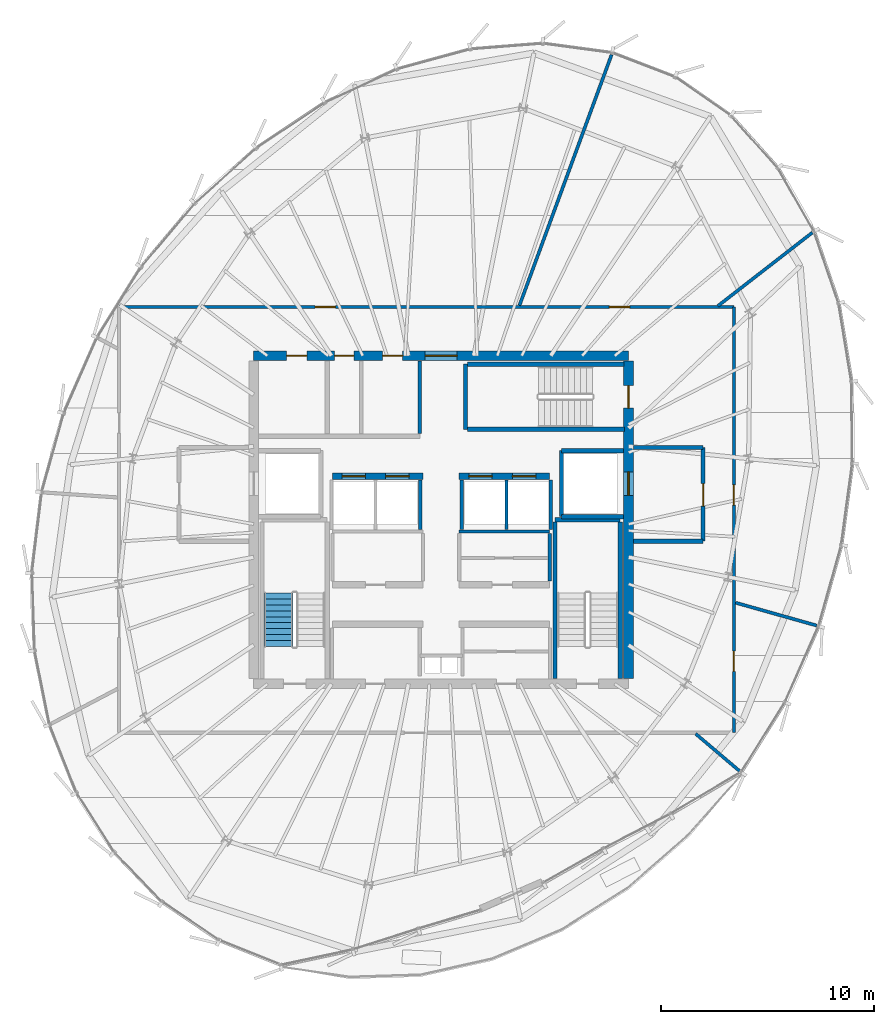
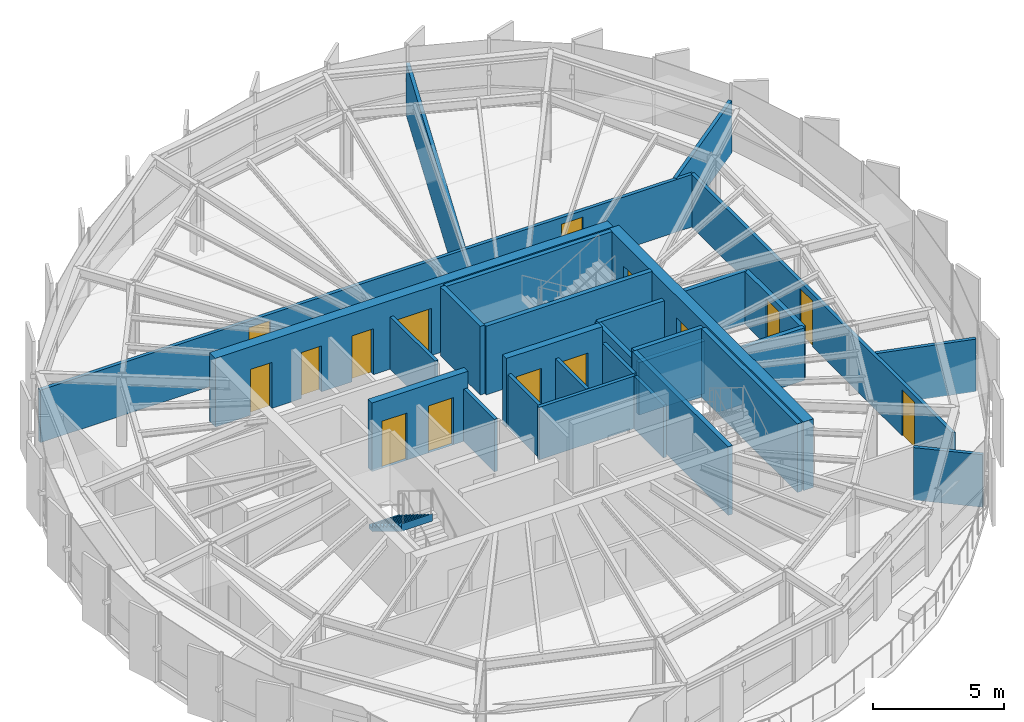
# One storey, part 26 of 31: 29 walls, 15 doors, 1 stair flight, 15 openings, 1 element without a shape of its own.
"""IFC4 building model written with IfcOpenShell, lengths in metres."""

from ifc_helpers import new_model, si_unit, direction, frame, frame_2d, origin, place, context, subcontext, project, spatial, polyline, rectangle, outline, extrude, source, transform, mapped, material, layer, layer_set, type_object, element, fill, aggregate, save


model = new_model("IFC4")

# Units and contexts
model_context = context("Model", 3, precision=1e-05, world=origin(), true_north=direction((0.0, 1.0)))
body_context = subcontext(model_context, "Body", "Model", "MODEL_VIEW")
ifc_project = project(units=[si_unit("LENGTHUNIT", "METRE"), si_unit("AREAUNIT", "SQUARE_METRE"), si_unit("VOLUMEUNIT", "CUBIC_METRE"), si_unit("PLANEANGLEUNIT", "RADIAN"), si_unit("MASSUNIT", "GRAM", prefix="KILO"), si_unit("THERMODYNAMICTEMPERATUREUNIT", "KELVIN")], contexts=[model_context])

# Site, building, storey
site_placement = place(None, origin())
site = spatial("IfcSite", under=ifc_project, at=site_placement, CompositionType="ELEMENT")
building_placement = place(site_placement, origin())
building = spatial("IfcBuilding", under=site, at=building_placement, Name="Kethvar Cultural Tower", CompositionType="ELEMENT")
storey_placement = place(building_placement, frame((0.0, 0.0, 283.60009765625)))
storey = spatial("IfcBuildingStorey", under=building, at=storey_placement, Name="L75", CompositionType="ELEMENT", Elevation=283.60009765625)

# Wall, openings, doors
ifc_material_1 = material(Name="Concrete C50/60", Category="concrete")
ifc_layer_1 = layer(ifc_material_1, 0.449951171875, Name="Concrete C50/60", Category="concrete")
ifc_layer_set_1 = layer_set([ifc_layer_1], Name="Concrete C50/60 (450 mm)")
wall_type_1 = type_object("IfcWallType", Name="WL-CORE-450", PredefinedType="SHEAR", material=ifc_layer_set_1)
wall_1_placement = place(storey_placement, frame((55.60009765625, 35.5, 0.0), z_axis=(0.0, 0.0, 1.0), x_axis=(-1.0, 0.0, 0.0)))
wall_1 = element("IfcWall", 1, at=wall_1_placement, inside=storey, type_object=wall_type_1, Name="L75 Core Shear Wall N", PredefinedType="SHEAR", context=body_context, shape_type="SweptSolid", body=[
    extrude(rectangle(XDim=17.60009765625, YDim=0.449951171875, at=frame_2d((8.800048828125, 0.0))), origin(), (0.0, 0.0, 1.0), 3.2099609375),
])
opening_1_placement = place(wall_1_placement, frame((8.050048828125, 0.0, 0.0)))
opening_1 = element("IfcOpeningElement", 2, at=opening_1_placement, cuts=wall_1, Name="Opening D-L75-LN", PredefinedType="OPENING", context=body_context, shape_type="SweptSolid", body=[
    extrude(rectangle(XDim=1.5, YDim=2.199951171875, at=frame_2d((0.75, 1.10009765625))), frame((0.0, 0.23486328125, 0.0), z_axis=(0.0, -1.0, 0.0), x_axis=(1.0, 0.0, 0.0)), (0.0, 0.0, 1.0), 0.469970703125),
])
opening_2_placement = place(wall_1_placement, frame((15.10009765625, 0.0, 0.0)))
opening_2 = element("IfcOpeningElement", 3, at=opening_2_placement, cuts=wall_1, Name="Opening D-L75-E1", PredefinedType="OPENING", context=body_context, shape_type="SweptSolid", body=[
    extrude(rectangle(XDim=0.949951171875, YDim=2.14990234375, at=frame_2d((0.47509765625, 1.074951171875))), frame((0.0, 0.23486328125, 0.0), z_axis=(0.0, -1.0, 0.0), x_axis=(1.0, 0.0, 0.0)), (0.0, 0.0, 1.0), 0.469970703125),
])
opening_3_placement = place(wall_1_placement, frame((12.89990234375, 0.0, 0.0)))
opening_3 = element("IfcOpeningElement", 4, at=opening_3_placement, cuts=wall_1, Name="Opening D-L75-W1", PredefinedType="OPENING", context=body_context, shape_type="SweptSolid", body=[
    extrude(rectangle(XDim=0.89990234375, YDim=2.14990234375, at=frame_2d((0.449951171875, 1.074951171875))), frame((0.0, 0.23486328125, 0.0), z_axis=(0.0, -1.0, 0.0), x_axis=(1.0, 0.0, 0.0)), (0.0, 0.0, 1.0), 0.469970703125),
])
opening_4_placement = place(wall_1_placement, frame((10.60009765625, 0.0, 0.0)))
opening_4 = element("IfcOpeningElement", 5, at=opening_4_placement, cuts=wall_1, Name="Opening D-L75-W2", PredefinedType="OPENING", context=body_context, shape_type="SweptSolid", body=[
    extrude(rectangle(XDim=0.949951171875, YDim=2.14990234375, at=frame_2d((0.47509765625, 1.074951171875))), frame((0.0, 0.23486328125, 0.0), z_axis=(0.0, -1.0, 0.0), x_axis=(1.0, 0.0, 0.0)), (0.0, 0.0, 1.0), 0.469970703125),
])
ifc_material_2 = material(Name="Architectural Oak Timber", Category="wood")
door_type_1 = type_object("IfcDoorType", Name="DR-DBL-FD60-1500", OperationType="DOUBLE_DOOR_SINGLE_SWING", PredefinedType="DOOR", material=ifc_material_2)
shared_shape_1 = source(origin(), body_context, "Body", "SweptSolid", [
    extrude(rectangle(XDim=1.5, YDim=2.199951171875, at=frame_2d((0.75, 1.10009765625))), frame((0.0, 0.02490234375, 0.0), z_axis=(0.0, -1.0, 0.0), x_axis=(1.0, 0.0, 0.0)), (0.0, 0.0, 1.0), 0.050048828125),
])
door_1_placement = place(opening_1_placement, origin())
door_1 = element("IfcDoor", 6, at=door_1_placement, inside=storey, type_object=door_type_1, Name="L75 Lift Lobby Concourse Door", OperationType="DOUBLE_DOOR_SINGLE_SWING", OverallHeight=2.199951171875, OverallWidth=1.5, PredefinedType="DOOR", context=body_context, shape_type="MappedRepresentation", body=[
    mapped(shared_shape_1, transform((0.0, 0.0, 0.0), scale=1.0)),
])
fill(opening_1, door_1)
door_type_2 = type_object("IfcDoorType", Name="DR-FD30-950", OperationType="NOTDEFINED", PredefinedType="DOOR", material=ifc_material_2)
shared_shape_2 = source(origin(), body_context, "Body", "SweptSolid", [
    extrude(rectangle(XDim=0.949951171875, YDim=2.14990234375, at=frame_2d((0.47509765625, 1.074951171875))), frame((0.0, 0.02490234375, 0.0), z_axis=(0.0, -1.0, 0.0), x_axis=(1.0, 0.0, 0.0)), (0.0, 0.0, 1.0), 0.050048828125),
])
door_2_placement = place(opening_2_placement, origin())
door_2 = element("IfcDoor", 7, at=door_2_placement, inside=storey, type_object=door_type_2, Name="L75 Electrical Switchgear Door", OperationType="SINGLE_SWING_RIGHT", OverallHeight=2.14990234375, OverallWidth=0.949951171875, PredefinedType="DOOR", context=body_context, shape_type="MappedRepresentation", body=[
    mapped(shared_shape_2, transform((0.0, 0.0, 0.0), scale=1.0)),
])
fill(opening_2, door_2)
door_3_placement = place(opening_4_placement, origin())
door_3 = element("IfcDoor", 8, at=door_3_placement, inside=storey, type_object=door_type_2, Name="L75 Public Washroom Door", OperationType="SINGLE_SWING_RIGHT", OverallHeight=2.14990234375, OverallWidth=0.949951171875, PredefinedType="DOOR", context=body_context, shape_type="MappedRepresentation", body=[
    mapped(shared_shape_2, transform((0.0, 0.0, 0.0), scale=1.0)),
])
fill(opening_4, door_3)
door_type_3 = type_object("IfcDoorType", Name="DR-FD30-900", OperationType="NOTDEFINED", PredefinedType="DOOR", material=ifc_material_2)
shared_shape_3 = source(origin(), body_context, "Body", "SweptSolid", [
    extrude(rectangle(XDim=0.89990234375, YDim=2.14990234375, at=frame_2d((0.449951171875, 1.074951171875))), frame((0.0, 0.02490234375, 0.0), z_axis=(0.0, -1.0, 0.0), x_axis=(1.0, 0.0, 0.0)), (0.0, 0.0, 1.0), 0.050048828125),
])
door_4_placement = place(opening_3_placement, origin())
door_4 = element("IfcDoor", 9, at=door_4_placement, inside=storey, type_object=door_type_3, Name="L75 Accessible Washroom Door", OperationType="SINGLE_SWING_LEFT", OverallHeight=2.14990234375, OverallWidth=0.89990234375, PredefinedType="DOOR", context=body_context, shape_type="MappedRepresentation", body=[
    mapped(shared_shape_3, transform((0.0, 0.0, 0.0), scale=1.0)),
])
fill(opening_3, door_4)

wall_2_placement = place(storey_placement, frame((55.60009765625, 20.340087890625, 0.0), z_axis=(0.0, 0.0, 1.0), x_axis=(0.0, 1.0, 0.0)))
wall_2 = element("IfcWall", 10, at=wall_2_placement, inside=storey, type_object=wall_type_1, Name="L75 Core Shear Wall E", PredefinedType="SHEAR", context=body_context, shape_type="SweptSolid", body=[
    extrude(rectangle(XDim=14.919921875, YDim=0.449951171875, at=frame_2d((7.4599609375, 0.0))), origin(), (0.0, 0.0, 1.0), 3.2099609375),
])
opening_5_placement = place(wall_2_placement, frame((12.7099609375, 0.0, 0.0)))
opening_5 = element("IfcOpeningElement", 11, at=opening_5_placement, cuts=wall_2, Name="Opening D-L75-S3", PredefinedType="OPENING", context=body_context, shape_type="SweptSolid", body=[
    extrude(rectangle(XDim=1.050048828125, YDim=2.14990234375, at=frame_2d((0.52490234375, 1.074951171875))), frame((0.0, 0.23486328125, 0.0), z_axis=(0.0, -1.0, 0.0), x_axis=(1.0, 0.0, 0.0)), (0.0, 0.0, 1.0), 0.469970703125),
])
opening_6_placement = place(wall_2_placement, frame((8.610107421875, 0.0, 0.0)))
opening_6 = element("IfcOpeningElement", 12, at=opening_6_placement, cuts=wall_2, Name="Opening LD-2", PredefinedType="OPENING", context=body_context, shape_type="SweptSolid", body=[
    extrude(rectangle(XDim=1.10009765625, YDim=2.199951171875, at=frame_2d((0.550048828125, 1.10009765625))), frame((0.0, 0.23486328125, 0.0), z_axis=(0.0, -1.0, 0.0), x_axis=(1.0, 0.0, 0.0)), (0.0, 0.0, 1.0), 0.469970703125),
])
ifc_material_3 = material(Name="Steel S355J2", Category="steel")
door_type_4 = type_object("IfcDoorType", Name="DR-FD60-1050", OperationType="NOTDEFINED", PredefinedType="DOOR", material=ifc_material_3)
shared_shape_4 = source(origin(), body_context, "Body", "SweptSolid", [
    extrude(rectangle(XDim=1.050048828125, YDim=2.14990234375, at=frame_2d((0.52490234375, 1.074951171875))), frame((0.0, 0.02490234375, 0.0), z_axis=(0.0, -1.0, 0.0), x_axis=(1.0, 0.0, 0.0)), (0.0, 0.0, 1.0), 0.050048828125),
])
door_5_placement = place(opening_5_placement, origin())
door_5 = element("IfcDoor", 13, at=door_5_placement, inside=storey, type_object=door_type_4, Name="L75 Exit Stair 3 Door", OperationType="SINGLE_SWING_LEFT", OverallHeight=2.14990234375, OverallWidth=1.050048828125, PredefinedType="DOOR", context=body_context, shape_type="MappedRepresentation", body=[
    mapped(shared_shape_4, transform((0.0, 0.0, 0.0), scale=1.0)),
])
fill(opening_5, door_5)
door_type_5 = type_object("IfcDoorType", Name="DR-LIFT-SLIDE-1100", OperationType="NOTDEFINED", PredefinedType="DOOR", material=ifc_material_3)
shared_shape_5 = source(origin(), body_context, "Body", "SweptSolid", [
    extrude(rectangle(XDim=1.10009765625, YDim=2.199951171875, at=frame_2d((0.550048828125, 1.10009765625))), frame((0.0, 0.02490234375, 0.0), z_axis=(0.0, -1.0, 0.0), x_axis=(1.0, 0.0, 0.0)), (0.0, 0.0, 1.0), 0.050048828125),
])
door_6_placement = place(opening_6_placement, origin())
door_6 = element("IfcDoor", 14, at=door_6_placement, inside=storey, type_object=door_type_5, Name="L75 Firefighting Lift Landing Door FFL-02", OperationType="SLIDING_TO_RIGHT", OverallHeight=2.199951171875, OverallWidth=1.10009765625, PredefinedType="DOOR", context=body_context, shape_type="MappedRepresentation", body=[
    mapped(shared_shape_5, transform((0.0, 0.0, 0.0), scale=1.0)),
])
fill(opening_6, door_6)

# Walls
ifc_material_4 = material(Name="Gypsum Fireboard Partition")
ifc_layer_2 = layer(ifc_material_4, 0.14990234375, Name="Gypsum Fireboard Partition")
ifc_layer_set_2 = layer_set([ifc_layer_2], Name="Gypsum Fireboard Partition (150 mm)")
wall_type_2 = type_object("IfcWallType", Name="WL-FIRE-150", PredefinedType="PARTITIONING", material=ifc_layer_set_2)
wall_3_placement = place(storey_placement, frame((47.64990234375, 27.25, 0.0), z_axis=(0.0, 0.0, 1.0), x_axis=(1.0, 0.0, 0.0)))
element("IfcWall", 15, at=wall_3_placement, inside=storey, type_object=wall_type_2, Name="L75 Reclaimed Mid Wall E", PredefinedType="PARTITIONING", context=body_context, shape_type="SweptSolid", body=[
    extrude(rectangle(XDim=4.25, YDim=0.14990234375, at=frame_2d((2.125, 0.0))), origin(), (0.0, 0.0, 1.0), 2.454833984375),
])
wall_4_placement = place(storey_placement, frame((51.89990234375, 24.919921875, 0.0), z_axis=(0.0, 0.0, 1.0), x_axis=(0.0, 1.0, 0.0)))
element("IfcWall", 16, at=wall_4_placement, inside=storey, type_object=wall_type_2, Name="L75 Reclaimed Mid Outer E", PredefinedType="PARTITIONING", context=body_context, shape_type="SweptSolid", body=[
    extrude(rectangle(XDim=2.239990234375, YDim=0.14990234375, at=frame_2d((1.1201171875, 0.0))), origin(), (0.0, 0.0, 1.0), 2.454833984375),
])
for number, where, z_axis, x_axis, name in (
    (17, (45.824951171875, 27.340087890625, 0.0), (0.0, 0.0, 1.0), (0.0, 1.0, 0.0), "L75 High-Rise Lift Shaft Concourse Wall W"),
    (18, (47.77490234375, 27.340087890625, 0.0), (0.0, 0.0, 1.0), (0.0, 1.0, 0.0), "L75 High-Rise Lift Shaft Concourse Wall E"),
    (19, (49.875, 27.340087890625, 0.0), (0.0, 0.0, 1.0), (0.0, 1.0, 0.0), "L75 High-Rise Lift Shaft Divider E"),
    (20, (51.949951171875, 27.340087890625, 0.0), (0.0, 0.0, 1.0), (0.0, 1.0, 0.0), "L75 High-Rise Lift Shaft Outer Wall E"),
):
    element("IfcWall", number, at=place(storey_placement, frame(where, z_axis=z_axis, x_axis=x_axis)), inside=storey, type_object=wall_type_2, Name=name, PredefinedType="PARTITIONING", context=body_context, shape_type="SweptSolid", body=[
        extrude(rectangle(XDim=2.33984375, YDim=0.14990234375, at=frame_2d((1.169921875, 0.0))), origin(), (0.0, 0.0, 1.0), 2.454833984375),
    ])
wall_5_placement = place(storey_placement, frame((45.800048828125, 31.85009765625, 0.0), z_axis=(0.0, 0.0, 1.0), x_axis=(0.0, 1.0, 0.0)))
element("IfcWall", 21, at=wall_5_placement, inside=storey, type_object=wall_type_2, Name="L75 Sanitary Spine Wall", PredefinedType="PARTITIONING", context=body_context, shape_type="SweptSolid", body=[
    extrude(rectangle(XDim=3.414794921875, YDim=0.14990234375, at=frame_2d((1.70751953125, 0.0))), origin(), (0.0, 0.0, 1.0), 2.454833984375),
])

# Wall, openings, doors
wall_6_placement = place(storey_placement, frame((60.550048828125, 17.806884765625, 0.0), z_axis=(0.0, 0.0, 1.0), x_axis=(0.0, 1.0, 0.0)))
wall_6 = element("IfcWall", 22, at=wall_6_placement, inside=storey, type_object=wall_type_2, Name="L75 Corridor Rated Wall E", PredefinedType="PARTITIONING", context=body_context, shape_type="SweptSolid", body=[
    extrude(rectangle(XDim=19.986083984375, YDim=0.14990234375, at=frame_2d((9.9931640625, 0.0))), origin(), (0.0, 0.0, 1.0), 2.454833984375),
])
opening_7_placement = place(wall_6_placement, frame((2.876953125, 0.0, 0.0)))
opening_7 = element("IfcOpeningElement", 23, at=opening_7_placement, cuts=wall_6, Name="Opening D-L75-02", PredefinedType="OPENING", context=body_context, shape_type="SweptSolid", body=[
    extrude(rectangle(XDim=0.949951171875, YDim=2.14990234375, at=frame_2d((0.47509765625, 1.074951171875))), frame((0.0, 0.0849609375, 0.0), z_axis=(0.0, -1.0, 0.0), x_axis=(1.0, 0.0, 0.0)), (0.0, 0.0, 1.0), 0.169921875),
])
opening_8_placement = place(wall_6_placement, frame((10.6845703125, 0.0, 0.0)))
opening_8 = element("IfcOpeningElement", 24, at=opening_8_placement, cuts=wall_6, Name="Opening D-L75-03", PredefinedType="OPENING", context=body_context, shape_type="SweptSolid", body=[
    extrude(rectangle(XDim=0.949951171875, YDim=2.14990234375, at=frame_2d((0.47509765625, 1.074951171875))), frame((0.0, 0.0849609375, 0.0), z_axis=(0.0, -1.0, 0.0), x_axis=(1.0, 0.0, 0.0)), (0.0, 0.0, 1.0), 0.169921875),
])
door_7_placement = place(opening_7_placement, origin())
door_7 = element("IfcDoor", 25, at=door_7_placement, inside=storey, type_object=door_type_2, Name="L75 Hospitality Sitting Lounge 02 Door", OperationType="SINGLE_SWING_LEFT", OverallHeight=2.14990234375, OverallWidth=0.949951171875, PredefinedType="DOOR", context=body_context, shape_type="MappedRepresentation", body=[
    mapped(shared_shape_2, transform((0.0, 0.0, 0.0), scale=1.0)),
])
fill(opening_7, door_7)
door_8_placement = place(opening_8_placement, origin())
door_8 = element("IfcDoor", 26, at=door_8_placement, inside=storey, type_object=door_type_2, Name="L75 Institutional Tenant Office 03 Door", OperationType="SINGLE_SWING_RIGHT", OverallHeight=2.14990234375, OverallWidth=0.949951171875, PredefinedType="DOOR", context=body_context, shape_type="MappedRepresentation", body=[
    mapped(shared_shape_2, transform((0.0, 0.0, 0.0), scale=1.0)),
])
fill(opening_8, door_8)

wall_7_placement = place(storey_placement, frame((60.550048828125, 37.79296875, 0.0), z_axis=(0.0, 0.0, 1.0), x_axis=(-1.0, 0.0, 0.0)))
wall_7 = element("IfcWall", 27, at=wall_7_placement, inside=storey, type_object=wall_type_2, Name="L75 Corridor Rated Wall N", PredefinedType="PARTITIONING", context=body_context, shape_type="SweptSolid", body=[
    extrude(rectangle(XDim=28.8701171875, YDim=0.14990234375, at=frame_2d((14.43505859375, 0.0))), origin(), (0.0, 0.0, 1.0), 2.454833984375),
])
opening_9_placement = place(wall_7_placement, frame((4.893798828125, 0.0, 0.0)))
opening_9 = element("IfcOpeningElement", 28, at=opening_9_placement, cuts=wall_7, Name="Opening D-L75-04", PredefinedType="OPENING", context=body_context, shape_type="SweptSolid", body=[
    extrude(rectangle(XDim=0.949951171875, YDim=2.14990234375, at=frame_2d((0.47509765625, 1.074951171875))), frame((0.0, 0.0849609375, 0.0), z_axis=(0.0, -1.0, 0.0), x_axis=(1.0, 0.0, 0.0)), (0.0, 0.0, 1.0), 0.169921875),
])
opening_10_placement = place(wall_7_placement, frame((18.709716796875, 0.0, 0.0)))
opening_10 = element("IfcOpeningElement", 29, at=opening_10_placement, cuts=wall_7, Name="Opening D-L75-05", PredefinedType="OPENING", context=body_context, shape_type="SweptSolid", body=[
    extrude(rectangle(XDim=0.949951171875, YDim=2.14990234375, at=frame_2d((0.47509765625, 1.074951171875))), frame((0.0, 0.0849609375, 0.0), z_axis=(0.0, -1.0, 0.0), x_axis=(1.0, 0.0, 0.0)), (0.0, 0.0, 1.0), 0.169921875),
])
door_9_placement = place(opening_9_placement, origin())
door_9 = element("IfcDoor", 30, at=door_9_placement, inside=storey, type_object=door_type_2, Name="L75 Operations Control Room 04 Door", OperationType="SINGLE_SWING_LEFT", OverallHeight=2.14990234375, OverallWidth=0.949951171875, PredefinedType="DOOR", context=body_context, shape_type="MappedRepresentation", body=[
    mapped(shared_shape_2, transform((0.0, 0.0, 0.0), scale=1.0)),
])
fill(opening_9, door_9)
door_10_placement = place(opening_10_placement, origin())
door_10 = element("IfcDoor", 31, at=door_10_placement, inside=storey, type_object=door_type_2, Name="L75 Manuscript Archive Store 05 Door", OperationType="SINGLE_SWING_RIGHT", OverallHeight=2.14990234375, OverallWidth=0.949951171875, PredefinedType="DOOR", context=body_context, shape_type="MappedRepresentation", body=[
    mapped(shared_shape_2, transform((0.0, 0.0, 0.0), scale=1.0)),
])
fill(opening_10, door_10)

# Walls
ifc_material_5 = material(Name="Concrete C40/50", Category="concrete")
ifc_layer_3 = layer(ifc_material_5, 0.199951171875, Name="Concrete C40/50", Category="concrete")
ifc_layer_set_3 = layer_set([ifc_layer_3], Name="Concrete C40/50 (200 mm)")
wall_type_3 = type_object("IfcWallType", Name="WL-FIRE-200", PredefinedType="PARTITIONING", material=ifc_layer_set_3)
wall_8_placement = place(storey_placement, frame((52.449951171875, 27.949951171875, 0.0), z_axis=(0.0, 0.0, 1.0), x_axis=(0.0, 1.0, 0.0)))
element("IfcWall", 32, at=wall_8_placement, inside=storey, type_object=wall_type_3, Name="L75 FFL-02 Shaft Inner Wall", PredefinedType="PARTITIONING", context=body_context, shape_type="SweptSolid", body=[
    extrude(rectangle(XDim=3.10009765625, YDim=0.199951171875, at=frame_2d((1.550048828125, 0.0))), origin(), (0.0, 0.0, 1.0), 2.454833984375),
])
for number, where, z_axis, x_axis, name in (
    (33, (52.449951171875, 27.949951171875, 0.0), (0.0, 0.0, 1.0), (1.0, 0.0, 0.0), "L75 FFL-02 Shaft South Wall"),
    (34, (52.449951171875, 31.050048828125, 0.0), (0.0, 0.0, 1.0), (1.0, 0.0, 0.0), "L75 FFL-02 Shaft North Wall"),
):
    element("IfcWall", number, at=place(storey_placement, frame(where, z_axis=z_axis, x_axis=x_axis)), inside=storey, type_object=wall_type_3, Name=name, PredefinedType="PARTITIONING", context=body_context, shape_type="SweptSolid", body=[
        extrude(rectangle(XDim=2.9150390625, YDim=0.199951171875, at=frame_2d((1.45751953125, 0.0))), origin(), (0.0, 0.0, 1.0), 2.454833984375),
    ])

# Wall, opening, door
wall_9_placement = place(storey_placement, frame((59.10009765625, 26.800048828125, 0.0), z_axis=(0.0, 0.0, 1.0), x_axis=(0.0, 1.0, 0.0)))
wall_9 = element("IfcWall", 35, at=wall_9_placement, inside=storey, type_object=wall_type_3, Name="L75 Firefighting Lobby 2 Wall", PredefinedType="PARTITIONING", context=body_context, shape_type="SweptSolid", body=[
    extrude(rectangle(XDim=4.39990234375, YDim=0.199951171875, at=frame_2d((2.199951171875, 0.0))), origin(), (0.0, 0.0, 1.0), 2.454833984375),
])
opening_11_placement = place(wall_9_placement, frame((1.64990234375, 0.0, 0.0)))
opening_11 = element("IfcOpeningElement", 36, at=opening_11_placement, cuts=wall_9, Name="Opening D-L75-F2", PredefinedType="OPENING", context=body_context, shape_type="SweptSolid", body=[
    extrude(rectangle(XDim=1.050048828125, YDim=2.14990234375, at=frame_2d((0.52490234375, 1.074951171875))), frame((0.0, 0.10986328125, 0.0), z_axis=(0.0, -1.0, 0.0), x_axis=(1.0, 0.0, 0.0)), (0.0, 0.0, 1.0), 0.219970703125),
])
door_11_placement = place(opening_11_placement, origin())
door_11 = element("IfcDoor", 37, at=door_11_placement, inside=storey, type_object=door_type_4, Name="L75 Firefighting Lobby 2 Fire Door", OperationType="SINGLE_SWING_LEFT", OverallHeight=2.14990234375, OverallWidth=1.050048828125, PredefinedType="DOOR", context=body_context, shape_type="MappedRepresentation", body=[
    mapped(shared_shape_4, transform((0.0, 0.0, 0.0), scale=1.0)),
])
fill(opening_11, door_11)

# Walls
for number, where, z_axis, x_axis, name in (
    (38, (55.8349609375, 26.800048828125, 0.0), (0.0, 0.0, 1.0), (1.0, 0.0, 0.0), "L75 FF Lobby 2 South Wall"),
    (39, (55.8349609375, 31.199951171875, 0.0), (0.0, 0.0, 1.0), (1.0, 0.0, 0.0), "L75 FF Lobby 2 North Wall"),
):
    element("IfcWall", number, at=place(storey_placement, frame(where, z_axis=z_axis, x_axis=x_axis)), inside=storey, type_object=wall_type_3, Name=name, PredefinedType="PARTITIONING", context=body_context, shape_type="SweptSolid", body=[
        extrude(rectangle(XDim=3.26513671875, YDim=0.199951171875, at=frame_2d((1.632568359375, 0.0))), origin(), (0.0, 0.0, 1.0), 2.454833984375),
    ])
ifc_material_6 = material(Name="Gypsum Acoustic Partition")
ifc_layer_4 = layer(ifc_material_6, 0.14990234375, Name="Gypsum Acoustic Partition")
ifc_layer_set_4 = layer_set([ifc_layer_4], Name="Gypsum Acoustic Partition (150 mm)")
wall_type_4 = type_object("IfcWallType", Name="WL-PART-150", PredefinedType="PARTITIONING", material=ifc_layer_set_4)
wall_10_placement = place(storey_placement, frame((58.75390625, 17.755126953125, 0.0), z_axis=(0.0, 0.0, 1.0), x_axis=(0.762491586171, -0.646998130615, 0.0)))
element("IfcWall", 40, at=wall_10_placement, inside=storey, type_object=wall_type_4, Name="L75 Radial Partition Wall 02", PredefinedType="PARTITIONING", context=body_context, shape_type="SweptSolid", body=[
    extrude(rectangle(XDim=2.70361328125, YDim=0.14990234375, at=frame_2d((1.351806640625, 0.0))), origin(), (0.0, 0.0, 1.0), 2.454833984375),
])
wall_11_placement = place(storey_placement, frame((60.626953125, 23.909423828125, 0.0), z_axis=(0.0, 0.0, 1.0), x_axis=(0.962613229875, -0.270879622102, 0.0)))
element("IfcWall", 41, at=wall_11_placement, inside=storey, type_object=wall_type_4, Name="L75 Radial Partition Wall 03", PredefinedType="PARTITIONING", context=body_context, shape_type="SweptSolid", body=[
    extrude(rectangle(XDim=3.955810546875, YDim=0.14990234375, at=frame_2d((1.97802734375, 0.0))), origin(), (0.0, 0.0, 1.0), 2.454833984375),
])
wall_12_placement = place(storey_placement, frame((59.794921875, 37.842041015625, 0.0), z_axis=(0.0, 0.0, 1.0), x_axis=(0.789784727897, 0.613384124004, 0.0)))
element("IfcWall", 42, at=wall_12_placement, inside=storey, type_object=wall_type_4, Name="L75 Radial Partition Wall 04", PredefinedType="PARTITIONING", context=body_context, shape_type="SweptSolid", body=[
    extrude(rectangle(XDim=5.620361328125, YDim=0.14990234375, at=frame_2d((2.81005859375, 0.0))), origin(), (0.0, 0.0, 1.0), 2.454833984375),
])
wall_13_placement = place(storey_placement, frame((50.480224609375, 37.8681640625, 0.0), z_axis=(0.0, 0.0, 1.0), x_axis=(0.344902908423, 0.93863836687, 0.0)))
element("IfcWall", 43, at=wall_13_placement, inside=storey, type_object=wall_type_4, Name="L75 Radial Partition Wall 05", PredefinedType="PARTITIONING", context=body_context, shape_type="SweptSolid", body=[
    extrude(rectangle(XDim=12.5361328125, YDim=0.14990234375, at=frame_2d((6.26806640625, 0.0))), origin(), (0.0, 0.0, 1.0), 2.454833984375),
])

# Wall, openings, doors
ifc_layer_5 = layer(ifc_material_1, 0.300048828125, Name="Concrete C50/60", Category="concrete")
ifc_layer_set_5 = layer_set([ifc_layer_5], Name="Concrete C50/60 (300 mm)")
wall_type_5 = type_object("IfcWallType", Name="WL-SHAFT-300", PredefinedType="SHEAR", material=ifc_layer_set_5)
wall_14_placement = place(storey_placement, frame((41.699951171875, 29.85009765625, 0.0), z_axis=(0.0, 0.0, 1.0), x_axis=(1.0, 0.0, 0.0)))
wall_14 = element("IfcWall", 44, at=wall_14_placement, inside=storey, type_object=wall_type_5, Name="L75 Core Lift Spine Wall MID3W", PredefinedType="SHEAR", context=body_context, shape_type="SweptSolid", body=[
    extrude(rectangle(XDim=4.25, YDim=0.300048828125, at=frame_2d((2.125, 0.0))), origin(), (0.0, 0.0, 1.0), 3.2099609375),
])
opening_12_placement = place(wall_14_placement, frame((0.449951171875, 0.0, 0.0)))
opening_12 = element("IfcOpeningElement", 45, at=opening_12_placement, cuts=wall_14, Name="Opening LD-H1", PredefinedType="OPENING", context=body_context, shape_type="SweptSolid", body=[
    extrude(rectangle(XDim=1.10009765625, YDim=2.199951171875, at=frame_2d((0.550048828125, 1.10009765625))), frame((0.0, 0.159912109375, 0.0), z_axis=(0.0, -1.0, 0.0), x_axis=(1.0, 0.0, 0.0)), (0.0, 0.0, 1.0), 0.320068359375),
])
opening_13_placement = place(wall_14_placement, frame((2.5, 0.0, 0.0)))
opening_13 = element("IfcOpeningElement", 46, at=opening_13_placement, cuts=wall_14, Name="Opening LD-H2", PredefinedType="OPENING", context=body_context, shape_type="SweptSolid", body=[
    extrude(rectangle(XDim=1.10009765625, YDim=2.199951171875, at=frame_2d((0.550048828125, 1.10009765625))), frame((0.0, 0.159912109375, 0.0), z_axis=(0.0, -1.0, 0.0), x_axis=(1.0, 0.0, 0.0)), (0.0, 0.0, 1.0), 0.320068359375),
])
door_12_placement = place(opening_12_placement, origin())
door_12 = element("IfcDoor", 47, at=door_12_placement, inside=storey, type_object=door_type_5, Name="L75 High-Rise Lift Landing Door H1", OperationType="SLIDING_TO_LEFT", OverallHeight=2.199951171875, OverallWidth=1.10009765625, PredefinedType="DOOR", context=body_context, shape_type="MappedRepresentation", body=[
    mapped(shared_shape_5, transform((0.0, 0.0, 0.0), scale=1.0)),
])
fill(opening_12, door_12)
door_13_placement = place(opening_13_placement, origin())
door_13 = element("IfcDoor", 48, at=door_13_placement, inside=storey, type_object=door_type_5, Name="L75 High-Rise Lift Landing Door H2", OperationType="SLIDING_TO_LEFT", OverallHeight=2.199951171875, OverallWidth=1.10009765625, PredefinedType="DOOR", context=body_context, shape_type="MappedRepresentation", body=[
    mapped(shared_shape_5, transform((0.0, 0.0, 0.0), scale=1.0)),
])
fill(opening_13, door_13)

wall_15_placement = place(storey_placement, frame((47.64990234375, 29.85009765625, 0.0), z_axis=(0.0, 0.0, 1.0), x_axis=(1.0, 0.0, 0.0)))
wall_15 = element("IfcWall", 49, at=wall_15_placement, inside=storey, type_object=wall_type_5, Name="L75 Core Lift Spine Wall MID3E", PredefinedType="SHEAR", context=body_context, shape_type="SweptSolid", body=[
    extrude(rectangle(XDim=4.25, YDim=0.300048828125, at=frame_2d((2.125, 0.0))), origin(), (0.0, 0.0, 1.0), 3.2099609375),
])
opening_14_placement = place(wall_15_placement, frame((0.449951171875, 0.0, 0.0)))
opening_14 = element("IfcOpeningElement", 50, at=opening_14_placement, cuts=wall_15, Name="Opening LD-H3", PredefinedType="OPENING", context=body_context, shape_type="SweptSolid", body=[
    extrude(rectangle(XDim=1.10009765625, YDim=2.199951171875, at=frame_2d((0.550048828125, 1.10009765625))), frame((0.0, 0.159912109375, 0.0), z_axis=(0.0, -1.0, 0.0), x_axis=(1.0, 0.0, 0.0)), (0.0, 0.0, 1.0), 0.320068359375),
])
opening_15_placement = place(wall_15_placement, frame((2.5, 0.0, 0.0)))
opening_15 = element("IfcOpeningElement", 51, at=opening_15_placement, cuts=wall_15, Name="Opening LD-H4", PredefinedType="OPENING", context=body_context, shape_type="SweptSolid", body=[
    extrude(rectangle(XDim=1.10009765625, YDim=2.199951171875, at=frame_2d((0.550048828125, 1.10009765625))), frame((0.0, 0.159912109375, 0.0), z_axis=(0.0, -1.0, 0.0), x_axis=(1.0, 0.0, 0.0)), (0.0, 0.0, 1.0), 0.320068359375),
])
door_14_placement = place(opening_14_placement, origin())
door_14 = element("IfcDoor", 52, at=door_14_placement, inside=storey, type_object=door_type_5, Name="L75 High-Rise Lift Landing Door H3", OperationType="SLIDING_TO_LEFT", OverallHeight=2.199951171875, OverallWidth=1.10009765625, PredefinedType="DOOR", context=body_context, shape_type="MappedRepresentation", body=[
    mapped(shared_shape_5, transform((0.0, 0.0, 0.0), scale=1.0)),
])
fill(opening_14, door_14)
door_15_placement = place(opening_15_placement, origin())
door_15 = element("IfcDoor", 53, at=door_15_placement, inside=storey, type_object=door_type_5, Name="L75 High-Rise Lift Landing Door H4", OperationType="SLIDING_TO_LEFT", OverallHeight=2.199951171875, OverallWidth=1.10009765625, PredefinedType="DOOR", context=body_context, shape_type="MappedRepresentation", body=[
    mapped(shared_shape_5, transform((0.0, 0.0, 0.0), scale=1.0)),
])
fill(opening_15, door_15)

# Walls
ifc_layer_6 = layer(ifc_material_1, 0.199951171875, Name="Concrete C50/60", Category="concrete")
ifc_layer_set_6 = layer_set([ifc_layer_6], Name="Concrete C50/60 (200 mm)")
wall_type_6 = type_object("IfcWallType", Name="WL-STSHAFT-200", PredefinedType="SHEAR", material=ifc_layer_set_6)
wall_16_placement = place(storey_placement, frame((52.14990234375, 27.800048828125, 0.0), z_axis=(0.0, 0.0, 1.0), x_axis=(1.0, 0.0, 0.0)))
element("IfcWall", 54, at=wall_16_placement, inside=storey, type_object=wall_type_6, Name="L75 ST-02 Stair Shaft Wall FAR", PredefinedType="SHEAR", context=body_context, shape_type="SweptSolid", body=[
    extrude(rectangle(XDim=3.06005859375, YDim=0.199951171875, at=frame_2d((1.530029296875, 0.0))), origin(), (0.0, 0.0, 1.0), 3.2099609375),
])
for number, where, z_axis, x_axis, name in (
    (55, (55.2099609375, 27.699951171875, 0.0), (0.0, 0.0, 1.0), (0.0, -1.0, 0.0), "L75 ST-02 Stair Shaft Wall LEFT"),
    (56, (52.14990234375, 20.35009765625, 0.0), (0.0, 0.0, 1.0), (0.0, 1.0, 0.0), "L75 ST-02 Stair Shaft Wall RIGHT"),
):
    element("IfcWall", number, at=place(storey_placement, frame(where, z_axis=z_axis, x_axis=x_axis)), inside=storey, type_object=wall_type_6, Name=name, PredefinedType="SHEAR", context=body_context, shape_type="SweptSolid", body=[
        extrude(rectangle(XDim=7.349853515625, YDim=0.199951171875, at=frame_2d((3.6748046875, 0.0))), origin(), (0.0, 0.0, 1.0), 3.2099609375),
    ])
wall_17_placement = place(storey_placement, frame((47.949951171875, 32.050048828125, 0.0), z_axis=(0.0, 0.0, 1.0), x_axis=(0.0, 1.0, 0.0)))
element("IfcWall", 57, at=wall_17_placement, inside=storey, type_object=wall_type_6, Name="L75 ST-03 Stair Shaft Wall FAR", PredefinedType="SHEAR", context=body_context, shape_type="SweptSolid", body=[
    extrude(rectangle(XDim=3.06005859375, YDim=0.199951171875, at=frame_2d((1.530029296875, 0.0))), origin(), (0.0, 0.0, 1.0), 3.2099609375),
])
for number, where, z_axis, x_axis, name in (
    (58, (48.050048828125, 35.110107421875, 0.0), (0.0, 0.0, 1.0), (1.0, 0.0, 0.0), "L75 ST-03 Stair Shaft Wall LEFT"),
    (59, (55.39990234375, 32.050048828125, 0.0), (0.0, 0.0, 1.0), (-1.0, 0.0, 0.0), "L75 ST-03 Stair Shaft Wall RIGHT"),
):
    element("IfcWall", number, at=place(storey_placement, frame(where, z_axis=z_axis, x_axis=x_axis)), inside=storey, type_object=wall_type_6, Name=name, PredefinedType="SHEAR", context=body_context, shape_type="SweptSolid", body=[
        extrude(rectangle(XDim=7.349853515625, YDim=0.199951171875, at=frame_2d((3.6748046875, 0.0))), origin(), (0.0, 0.0, 1.0), 3.2099609375),
    ])

# Stair, stair flight
stair_type = type_object("IfcStairType", Name="ST-DOGLEG-135", PredefinedType="HALF_TURN_STAIR", material=ifc_material_5)
stair_placement = place(storey_placement, origin())
stair = element("IfcStair", 60, at=stair_placement, inside=storey, type_object=stair_type, Name="L75 Core Exit Stair 1", PredefinedType="HALF_TURN_STAIR")
stair_flight_type = type_object("IfcStairFlightType", Name="FL-STRAIGHT-135", PredefinedType="STRAIGHT", material=ifc_material_5)
stair_flight_placement = place(storey_placement, frame((39.1650390625, 24.3701171875, 1.724853515625), z_axis=(0.0, 0.0, 1.0), x_axis=(0.0, -1.0, 0.0)))
stair_flight = element("IfcStairFlight", 61, at=stair_flight_placement, type_object=stair_flight_type, Name="ST-01 flight 2", NumberOfRisers=10, NumberOfTreads=9, PredefinedType="STRAIGHT", RiserHeight=0.1725, TreadLength=0.28, context=body_context, shape_type="SweptSolid", body=[
    extrude(outline(polyline([(-0.0009765625, -0.0009765625), (-0.0009765625, 0.172607421875), (0.280029296875, 0.172607421875), (0.280029296875, 0.344970703125), (0.56005859375, 0.344970703125), (0.56005859375, 0.517578125), (0.840087890625, 0.517578125), (0.840087890625, 0.68994140625), (1.1201171875, 0.68994140625), (1.1201171875, 0.862548828125), (1.39990234375, 0.862548828125), (1.39990234375, 1.034912109375), (1.679931640625, 1.034912109375), (1.679931640625, 1.20751953125), (1.9599609375, 1.20751953125), (1.9599609375, 1.3798828125), (2.239990234375, 1.3798828125), (2.239990234375, 1.552490234375), (2.52001953125, 1.552490234375), (2.52001953125, 1.72509765625), (2.52099609375, 1.72509765625), (2.52099609375, 1.37646484375), (0.285888671875, 0.0), (0.0, -0.0009765625), (-0.0009765625, -0.0009765625)])), frame((0.0, 0.675048828125, 0.0), z_axis=(0.0, -1.0, 0.0), x_axis=(1.0, 0.0, 0.0)), (0.0, 0.0, 1.0), 1.35009765625),
])
aggregate(stair, [stair_flight])

save(model, "model.ifc")
